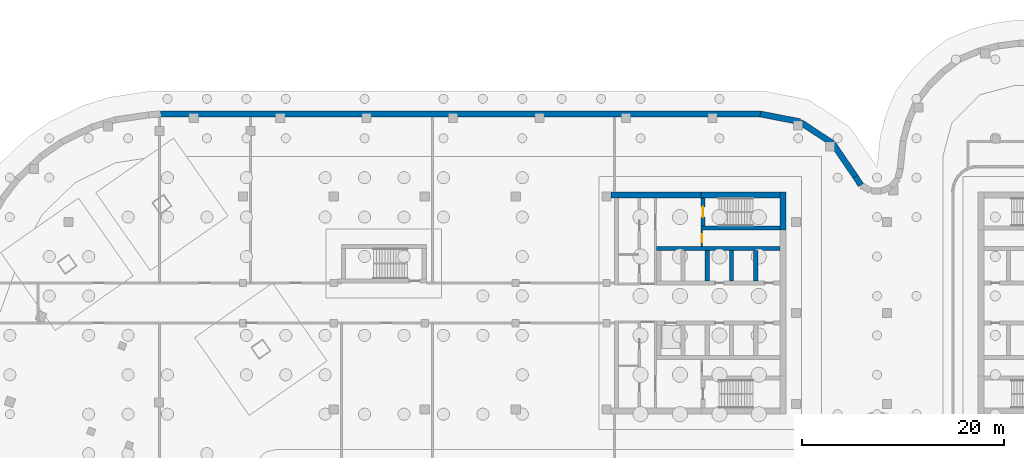
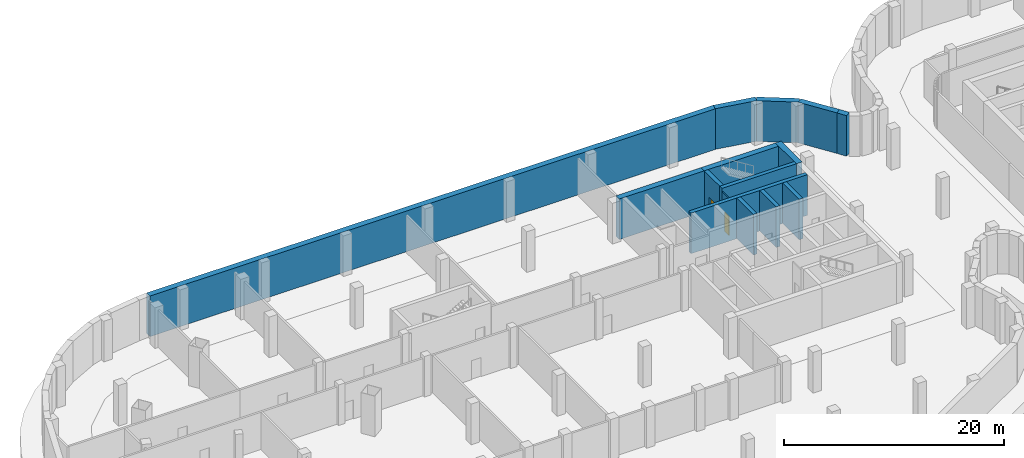
# One storey, part 11 of 18: 15 walls, 2 doors, 2 openings.
"""IFC4 building model written with IfcOpenShell, lengths in metres."""

from ifc_helpers import new_model, si_unit, direction, frame, frame_2d, origin, place, context, subcontext, project, spatial, rectangle, extrude, material, layer, layer_set, type_object, element, fill, save


model = new_model("IFC4")

# Units and contexts
model_context = context("Model", 3, precision=1e-05, world=origin(), true_north=direction((0.0, 1.0)))
body_context = subcontext(model_context, "Body", "Model", "MODEL_VIEW")
ifc_project = project(units=[si_unit("LENGTHUNIT", "METRE"), si_unit("AREAUNIT", "SQUARE_METRE"), si_unit("VOLUMEUNIT", "CUBIC_METRE"), si_unit("PLANEANGLEUNIT", "RADIAN"), si_unit("MASSUNIT", "GRAM", prefix="KILO")], contexts=[model_context])

# Site, building, storey
site_placement = place(None, origin())
site = spatial("IfcSite", under=ifc_project, at=site_placement, CompositionType="ELEMENT")
building_placement = place(site_placement, origin())
building = spatial("IfcBuilding", under=site, at=building_placement, Name="Skarvind Civic Tower", CompositionType="ELEMENT")
storey_placement = place(building_placement, frame((0.0, 0.0, -9.0)))
storey = spatial("IfcBuildingStorey", under=building, at=storey_placement, Name="B2", CompositionType="ELEMENT", Elevation=-9.0)

# Walls
ifc_material_1 = material(Name="Concrete C40", Category="concrete")
ifc_layer_1 = layer(ifc_material_1, 0.60009765625)
ifc_layer_set_1 = layer_set([ifc_layer_1], Name="Basement retaining wall 600 C40")
wall_type_1 = type_object("IfcWallType", Name="Basement retaining wall 600 C40", PredefinedType="SHEAR", material=ifc_layer_set_1)
wall_1_placement = place(storey_placement, frame((46.114013671875, 146.699951171875, 0.0), z_axis=(0.0, 0.0, 1.0), x_axis=(1.0, 0.0, 0.0)))
element("IfcWall", 1, at=wall_1_placement, inside=storey, type_object=wall_type_1, Name="Basement retaining wall B2 24", PredefinedType="SHEAR", context=body_context, shape_type="SweptSolid", body=[
    extrude(rectangle(XDim=59.3642578125, YDim=0.60009765625, at=frame_2d((29.68212890625, 0.0))), origin(), (0.0, 0.0, 1.0), 4.5),
])
wall_2_placement = place(storey_placement, frame((105.4404296875, 146.70166015625, 0.0), z_axis=(0.0, 0.0, 1.0), x_axis=(0.981593603981, -0.190981665674, 0.0)))
element("IfcWall", 2, at=wall_2_placement, inside=storey, type_object=wall_type_1, Name="Basement retaining wall B2 25", PredefinedType="SHEAR", context=body_context, shape_type="SweptSolid", body=[
    extrude(rectangle(XDim=4.025390625, YDim=0.60009765625, at=frame_2d((2.0126953125, 0.0))), origin(), (0.0, 0.0, 1.0), 4.5),
])
for number, where, z_axis, x_axis, name in (
    (3, (109.4013671875, 145.899658203125, 0.0), (0.0, 0.0, 1.0), (0.835543958523, -0.549423601037, 0.0), "Basement retaining wall B2 26"),
    (4, (112.66064453125, 143.7197265625, 0.0), (0.0, 0.0, 1.0), (0.564356686725, -0.825531059469, 0.0), "Basement retaining wall B2 27"),
):
    element("IfcWall", number, at=place(storey_placement, frame(where, z_axis=z_axis, x_axis=x_axis)), inside=storey, type_object=wall_type_1, Name=name, PredefinedType="SHEAR", context=body_context, shape_type="SweptSolid", body=[
        extrude(rectangle(XDim=3.905517578125, YDim=0.60009765625, at=frame_2d((1.95263671875, 0.0))), origin(), (0.0, 0.0, 1.0), 4.5),
    ])
wall_3_placement = place(storey_placement, frame((114.860107421875, 140.50244140625, 0.0), z_axis=(0.0, 0.0, 1.0), x_axis=(0.541166311462, -0.840915586334, 0.0)))
element("IfcWall", 5, at=wall_3_placement, inside=storey, type_object=wall_type_1, Name="Basement retaining wall B2 28", PredefinedType="SHEAR", context=body_context, shape_type="SweptSolid", body=[
    extrude(rectangle(XDim=0.99609375, YDim=0.60009765625, at=frame_2d((0.498046875, 0.0))), origin(), (0.0, 0.0, 1.0), 4.5),
])
ifc_material_2 = material(Name="Concrete C80", Category="concrete")
ifc_layer_2 = layer(ifc_material_2, 0.39990234375)
ifc_layer_set_2 = layer_set([ifc_layer_2], Name="Core wall 400 C80")
wall_type_2 = type_object("IfcWallType", Name="Core wall 400 C80", PredefinedType="SHEAR", material=ifc_layer_set_2)
wall_4_placement = place(storey_placement, frame((107.39990234375, 135.39990234375, 0.0), z_axis=(0.0, 0.0, 1.0), x_axis=(-1.0, 0.0, 0.0)))
element("IfcWall", 6, at=wall_4_placement, inside=storey, type_object=wall_type_2, Name="Core wall C1 south stair inner B2", PredefinedType="SHEAR", context=body_context, shape_type="SweptSolid", body=[
    extrude(rectangle(XDim=7.7998046875, YDim=0.39990234375, at=frame_2d((3.89990234375, 0.0))), origin(), (0.0, 0.0, 1.0), 4.5),
])

# Wall, opening, door
wall_5_placement = place(storey_placement, frame((99.800048828125, 138.39990234375, 0.0), z_axis=(0.0, 0.0, 1.0), x_axis=(0.0, -1.0, 0.0)))
wall_5 = element("IfcWall", 7, at=wall_5_placement, inside=storey, type_object=wall_type_2, Name="Core wall C1 south stair end B2", PredefinedType="SHEAR", context=body_context, shape_type="SweptSolid", body=[
    extrude(rectangle(XDim=2.7998046875, YDim=0.39990234375, at=frame_2d((1.39990234375, 0.0))), origin(), (0.0, 0.0, 1.0), 4.5),
])
opening_1_placement = place(wall_5_placement, frame((0.89990234375, 0.0, 0.0)))
opening_1 = element("IfcOpeningElement", 8, at=opening_1_placement, cuts=wall_5, Name="Opening D-B2-C1-14", PredefinedType="OPENING", context=body_context, shape_type="SweptSolid", body=[
    extrude(rectangle(XDim=1.0, YDim=2.10009765625, at=frame_2d((0.5, 1.050048828125))), frame((0.0, 0.2099609375, 0.0), z_axis=(0.0, -1.0, 0.0), x_axis=(1.0, 0.0, 0.0)), (0.0, 0.0, 1.0), 0.419921875),
])
ifc_material_3 = material(Name="Fire-rated steel door", Category="steel")
door_type_1 = type_object("IfcDoorType", Name="Fire door 1000", OperationType="NOTDEFINED", PredefinedType="DOOR", material=ifc_material_3)
door_1_placement = place(opening_1_placement, origin())
door_1 = element("IfcDoor", 9, at=door_1_placement, inside=storey, type_object=door_type_1, Name="Fire door", OperationType="SINGLE_SWING_RIGHT", OverallHeight=2.10009765625, OverallWidth=1.0, PredefinedType="DOOR", context=body_context, shape_type="SweptSolid", body=[
    extrude(rectangle(XDim=1.0, YDim=2.10009765625, at=frame_2d((0.5, 1.050048828125))), frame((0.0, 0.02490234375, 0.0), z_axis=(0.0, -1.0, 0.0), x_axis=(1.0, 0.0, 0.0)), (0.0, 0.0, 1.0), 0.050048828125),
])
fill(opening_1, door_1)

# Walls
wall_6_placement = place(storey_placement, frame((107.39990234375, 133.39990234375, 0.0), z_axis=(0.0, 0.0, 1.0), x_axis=(-1.0, 0.0, 0.0)))
element("IfcWall", 10, at=wall_6_placement, inside=storey, type_object=wall_type_2, Name="Core wall C1 south lift row back B2", PredefinedType="SHEAR", context=body_context, shape_type="SweptSolid", body=[
    extrude(rectangle(XDim=12.199951171875, YDim=0.39990234375, at=frame_2d((6.10009765625, 0.0))), origin(), (0.0, 0.0, 1.0), 4.5),
])
for number, where, z_axis, x_axis, name in (
    (11, (105.0, 133.199951171875, 0.0), (0.0, 0.0, 1.0), (0.0, -1.0, 0.0), "Core wall C1 south lift row division 1 B2"),
    (12, (102.60009765625, 133.199951171875, 0.0), (0.0, 0.0, 1.0), (0.0, -1.0, 0.0), "Core wall C1 south lift row division 2 B2"),
    (13, (100.199951171875, 133.199951171875, 0.0), (0.0, 0.0, 1.0), (0.0, -1.0, 0.0), "Core wall C1 south lift row division 3 B2"),
):
    element("IfcWall", number, at=place(storey_placement, frame(where, z_axis=z_axis, x_axis=x_axis)), inside=storey, type_object=wall_type_2, Name=name, PredefinedType="SHEAR", context=body_context, shape_type="SweptSolid", body=[
        extrude(rectangle(XDim=3.0, YDim=0.39990234375, at=frame_2d((1.5, 0.0))), origin(), (0.0, 0.0, 1.0), 4.5),
    ])
ifc_layer_3 = layer(ifc_material_2, 0.60009765625)
ifc_layer_set_3 = layer_set([ifc_layer_3], Name="Core wall 600 C80")
wall_type_3 = type_object("IfcWallType", Name="Core wall 600 C80", PredefinedType="SHEAR", material=ifc_layer_set_3)
wall_7_placement = place(storey_placement, frame((107.699951171875, 139.0, 0.0), z_axis=(0.0, 0.0, 1.0), x_axis=(0.0, -1.0, 0.0)))
element("IfcWall", 14, at=wall_7_placement, inside=storey, type_object=wall_type_3, Name="Core wall C1 tip at the south stair B2", PredefinedType="SHEAR", context=body_context, shape_type="SweptSolid", body=[
    extrude(rectangle(XDim=3.800048828125, YDim=0.60009765625, at=frame_2d((1.89990234375, 0.0))), origin(), (0.0, 0.0, 1.0), 4.5),
])
wall_8_placement = place(storey_placement, frame((107.39990234375, 138.699951171875, 0.0), z_axis=(0.0, 0.0, 1.0), x_axis=(-1.0, 0.0, 0.0)))
element("IfcWall", 15, at=wall_8_placement, inside=storey, type_object=wall_type_3, Name="Core wall C1 south side at the stair B2", PredefinedType="SHEAR", context=body_context, shape_type="SweptSolid", body=[
    extrude(rectangle(XDim=7.7998046875, YDim=0.60009765625, at=frame_2d((3.89990234375, 0.0))), origin(), (0.0, 0.0, 1.0), 4.5),
])
wall_9_placement = place(storey_placement, frame((99.60009765625, 138.699951171875, 0.0), z_axis=(0.0, 0.0, 1.0), x_axis=(-1.0, 0.0, 0.0)))
element("IfcWall", 16, at=wall_9_placement, inside=storey, type_object=wall_type_3, Name="Core wall C1 south side B2", PredefinedType="SHEAR", context=body_context, shape_type="SweptSolid", body=[
    extrude(rectangle(XDim=8.900146484375, YDim=0.60009765625, at=frame_2d((4.4501953125, 0.0))), origin(), (0.0, 0.0, 1.0), 4.5),
])

# Wall, opening, door
ifc_material_4 = material(Name="Fire-rated masonry partition", Category="masonry")
ifc_layer_4 = layer(ifc_material_4, 0.125)
ifc_layer_set_4 = layer_set([ifc_layer_4], Name="Riser wall 125")
wall_type_4 = type_object("IfcWallType", Name="Riser wall 125", PredefinedType="PARTITIONING", material=ifc_layer_set_4)
wall_10_placement = place(storey_placement, frame((99.66259765625, 133.60009765625, 0.0), z_axis=(0.0, 0.0, 1.0), x_axis=(0.0, 1.0, 0.0)))
wall_10 = element("IfcWall", 17, at=wall_10_placement, inside=storey, type_object=wall_type_4, Name="Core wall C1", PredefinedType="PARTITIONING", context=body_context, shape_type="SweptSolid", body=[
    extrude(rectangle(XDim=1.599853515625, YDim=0.125, at=frame_2d((0.7998046875, 0.0))), origin(), (0.0, 0.0, 1.0), 4.125),
])
opening_2_placement = place(wall_10_placement, frame((0.39990234375, 0.0, 0.0)))
opening_2 = element("IfcOpeningElement", 18, at=opening_2_placement, cuts=wall_10, Name="Opening D-B2-C1-15", PredefinedType="OPENING", context=body_context, shape_type="SweptSolid", body=[
    extrude(rectangle(XDim=0.800048828125, YDim=2.10009765625, at=frame_2d((0.39990234375, 1.050048828125))), frame((0.0, 0.072509765625, 0.0), z_axis=(0.0, -1.0, 0.0), x_axis=(1.0, 0.0, 0.0)), (0.0, 0.0, 1.0), 0.14501953125),
])
door_type_2 = type_object("IfcDoorType", Name="Core riser door 800", OperationType="NOTDEFINED", PredefinedType="DOOR", material=ifc_material_3)
door_2_placement = place(opening_2_placement, origin())
door_2 = element("IfcDoor", 19, at=door_2_placement, inside=storey, type_object=door_type_2, Name="Riser door", OperationType="SINGLE_SWING_LEFT", OverallHeight=2.10009765625, OverallWidth=0.800048828125, PredefinedType="DOOR", context=body_context, shape_type="SweptSolid", body=[
    extrude(rectangle(XDim=0.800048828125, YDim=2.10009765625, at=frame_2d((0.39990234375, 1.050048828125))), frame((0.0, 0.02490234375, 0.0), z_axis=(0.0, -1.0, 0.0), x_axis=(1.0, 0.0, 0.0)), (0.0, 0.0, 1.0), 0.050048828125),
])
fill(opening_2, door_2)

save(model, "model.ifc")
